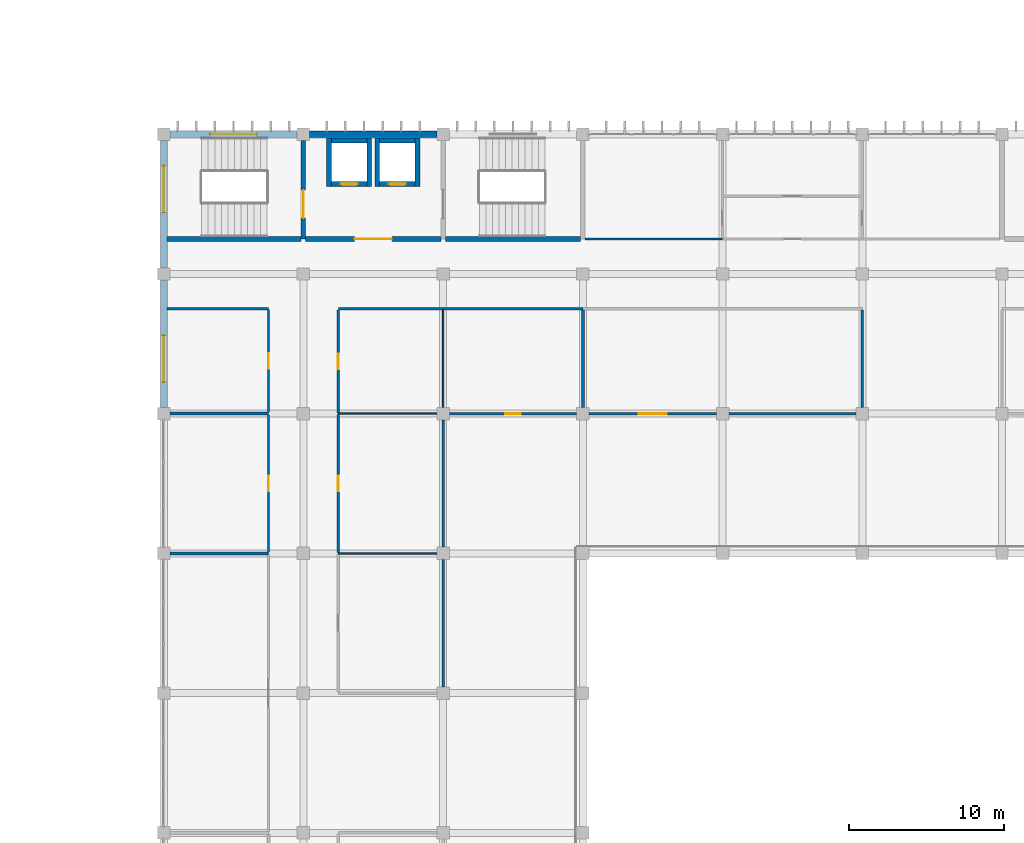
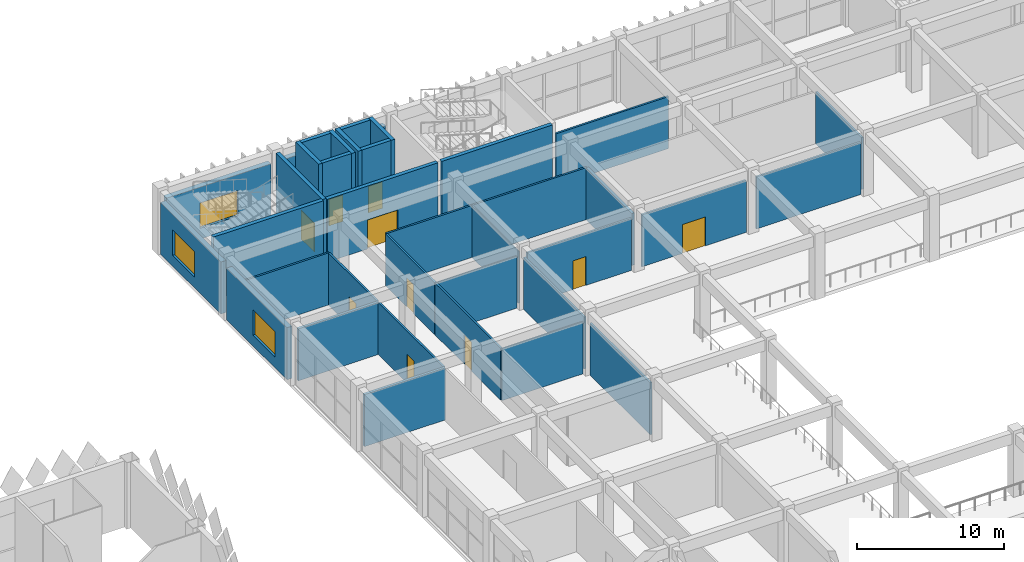
# One storey, part 126 of 185: 36 walls, 10 doors, 3 windows, 13 openings.
"""IFC4 building model written with IfcOpenShell, lengths in metres."""

from ifc_helpers import new_model, si_unit, direction, frame, frame_2d, origin, place, context, subcontext, project, spatial, rectangle, extrude, material, layer, layer_set, type_object, element, fill, save


model = new_model("IFC4")

# Units and contexts
model_context = context("Model", 3, precision=1e-05, world=origin(), true_north=direction((0.0, 1.0)))
body_context = subcontext(model_context, "Body", "Model", "MODEL_VIEW")
ifc_project = project(units=[si_unit("LENGTHUNIT", "METRE"), si_unit("AREAUNIT", "SQUARE_METRE"), si_unit("VOLUMEUNIT", "CUBIC_METRE"), si_unit("PLANEANGLEUNIT", "RADIAN"), si_unit("MASSUNIT", "GRAM", prefix="KILO")], contexts=[model_context])

# Site, building, storey
site_placement = place(None, origin())
site = spatial("IfcSite", under=ifc_project, at=site_placement, CompositionType="ELEMENT")
building_placement = place(site_placement, origin())
building = spatial("IfcBuilding", under=site, at=building_placement, Name="Opaline Strait Convention Centre", CompositionType="ELEMENT")
storey_placement = place(building_placement, frame((0.0, 0.0, 6.0)))
storey = spatial("IfcBuildingStorey", under=building, at=storey_placement, Name="L01", CompositionType="ELEMENT", Elevation=6.0)

# Walls
ifc_material_1 = material(Name="Gypsum board")
ifc_layer_1 = layer(ifc_material_1, 0.050048828125)
ifc_material_2 = material(Name="Steel stud and mineral wool", Category="steel")
ifc_layer_2 = layer(ifc_material_2, 0.10009765625)
ifc_layer_3 = layer(ifc_material_1, 0.050048828125)
ifc_layer_set_1 = layer_set([ifc_layer_1, ifc_layer_2, ifc_layer_3], Name="Gypsum board, Steel stud and mineral wool, Gypsum board")
wall_type_1 = type_object("IfcWallType", Name="Acoustic partition 200 EI45", PredefinedType="PARTITIONING", material=ifc_layer_set_1)
for number, where, z_axis, x_axis, name in (
    (1, (279.39990234375, 153.0, 0.0), (0.0, 0.0, 1.0), (1.0, 0.0, 0.0), "MPW5 partition Meeting Room 1.04 N"),
    (2, (279.39990234375, 162.0, 0.0), (0.0, 0.0, 1.0), (1.0, 0.0, 0.0), "MPW5 partition Boardroom 1.05 N"),
):
    element("IfcWall", number, at=place(storey_placement, frame(where, z_axis=z_axis, x_axis=x_axis)), inside=storey, type_object=wall_type_1, Name=name, PredefinedType="PARTITIONING", context=body_context, shape_type="SweptSolid", body=[
        extrude(rectangle(XDim=6.35009765625, YDim=0.199951171875, at=frame_2d((3.175048828125, 0.0))), origin(), (0.0, 0.0, 1.0), 4.320068359375),
    ])
wall_1_placement = place(storey_placement, frame((306.0, 162.39990234375, 0.0), z_axis=(0.0, 0.0, 1.0), x_axis=(0.0, 1.0, 0.0)))
element("IfcWall", 3, at=wall_1_placement, inside=storey, type_object=wall_type_1, Name="MPW5 partition Breakout Room 1.19 E", PredefinedType="PARTITIONING", context=body_context, shape_type="SweptSolid", body=[
    extrude(rectangle(XDim=6.275146484375, YDim=0.199951171875, at=frame_2d((3.1376953125, 0.0))), origin(), (0.0, 0.0, 1.0), 4.320068359375),
])

# Wall, opening, door
ifc_layer_4 = layer(ifc_material_1, 0.032470703125)
ifc_layer_5 = layer(ifc_material_2, 0.0849609375)
ifc_layer_6 = layer(ifc_material_1, 0.032470703125)
ifc_layer_set_2 = layer_set([ifc_layer_4, ifc_layer_5, ifc_layer_6], Name="Gypsum board, Steel stud and mineral wool, Gypsum board")
wall_type_2 = type_object("IfcWallType", Name="Corridor partition 150 EI60", PredefinedType="PARTITIONING", material=ifc_layer_set_2)
wall_2_placement = place(storey_placement, frame((285.75, 153.10009765625, 0.0), z_axis=(0.0, 0.0, 1.0), x_axis=(0.0, 1.0, 0.0)))
wall_2 = element("IfcWall", 4, at=wall_2_placement, inside=storey, type_object=wall_type_2, Name="MPW1 partition Boardroom 1.05 E", PredefinedType="PARTITIONING", context=body_context, shape_type="SweptSolid", body=[
    extrude(rectangle(XDim=8.7998046875, YDim=0.14990234375, at=frame_2d((4.39990234375, 0.0))), origin(), (0.0, 0.0, 1.0), 4.320068359375),
])
opening_1_placement = place(wall_2_placement, frame((3.89990234375, 0.0, 0.0)))
opening_1 = element("IfcOpeningElement", 5, at=opening_1_placement, cuts=wall_2, Name="Opening M1-025", PredefinedType="OPENING", context=body_context, shape_type="SweptSolid", body=[
    extrude(rectangle(XDim=1.0, YDim=2.39990234375, at=frame_2d((0.5, 1.199951171875))), frame((0.0, 0.0849609375, 0.0), z_axis=(0.0, -1.0, 0.0), x_axis=(1.0, 0.0, 0.0)), (0.0, 0.0, 1.0), 0.169921875),
])
ifc_material_3 = material(Name="Solid-core timber leaf, steel frame door set", Category="steel")
door_type_1 = type_object("IfcDoorType", Name="Meeting room door FD30 1000 x 2400", OperationType="SINGLE_SWING_LEFT", PredefinedType="DOOR", material=ifc_material_3)
door_1_placement = place(opening_1_placement, frame((1.0, 0.0, 0.0), z_axis=(0.0, 0.0, 1.0), x_axis=(-1.0, 0.0, 0.0)))
door_1 = element("IfcDoor", 6, at=door_1_placement, inside=storey, type_object=door_type_1, Name="Door Boardroom 1.05", ObjectType="MD8", OperationType="SINGLE_SWING_RIGHT", OverallHeight=2.39990234375, OverallWidth=1.0, PredefinedType="DOOR", context=body_context, shape_type="SweptSolid", body=[
    extrude(rectangle(XDim=1.0, YDim=2.39990234375, at=frame_2d((0.5, 1.199951171875))), frame((0.0, 0.02490234375, 0.0), z_axis=(0.0, -1.0, 0.0), x_axis=(1.0, 0.0, 0.0)), (0.0, 0.0, 1.0), 0.050048828125),
])
fill(opening_1, door_1)

# Wall
wall_3_placement = place(storey_placement, frame((279.199951171875, 168.75, 0.0), z_axis=(0.0, 0.0, 1.0), x_axis=(1.0, 0.0, 0.0)))
element("IfcWall", 7, at=wall_3_placement, inside=storey, type_object=wall_type_2, Name="MPW1 partition Meeting Room 1.06 N", PredefinedType="PARTITIONING", context=body_context, shape_type="SweptSolid", body=[
    extrude(rectangle(XDim=6.550048828125, YDim=0.14990234375, at=frame_2d((3.27490234375, 0.0))), origin(), (0.0, 0.0, 1.0), 4.320068359375),
])

# Wall, opening, door
wall_4_placement = place(storey_placement, frame((285.75, 162.10009765625, 0.0), z_axis=(0.0, 0.0, 1.0), x_axis=(0.0, 1.0, 0.0)))
wall_4 = element("IfcWall", 8, at=wall_4_placement, inside=storey, type_object=wall_type_2, Name="MPW1 partition Meeting Room 1.06 E", PredefinedType="PARTITIONING", context=body_context, shape_type="SweptSolid", body=[
    extrude(rectangle(XDim=6.574951171875, YDim=0.14990234375, at=frame_2d((3.28759765625, 0.0))), origin(), (0.0, 0.0, 1.0), 4.320068359375),
])
opening_2_placement = place(wall_4_placement, frame((2.787353515625, 0.0, 0.0)))
opening_2 = element("IfcOpeningElement", 9, at=opening_2_placement, cuts=wall_4, Name="Opening M1-026", PredefinedType="OPENING", context=body_context, shape_type="SweptSolid", body=[
    extrude(rectangle(XDim=1.0, YDim=2.39990234375, at=frame_2d((0.5, 1.199951171875))), frame((0.0, 0.0849609375, 0.0), z_axis=(0.0, -1.0, 0.0), x_axis=(1.0, 0.0, 0.0)), (0.0, 0.0, 1.0), 0.169921875),
])
door_2_placement = place(opening_2_placement, frame((1.0, 0.0, 0.0), z_axis=(0.0, 0.0, 1.0), x_axis=(-1.0, 0.0, 0.0)))
door_2 = element("IfcDoor", 10, at=door_2_placement, inside=storey, type_object=door_type_1, Name="Door Meeting Room 1.06", ObjectType="MD8", OperationType="SINGLE_SWING_LEFT", OverallHeight=2.39990234375, OverallWidth=1.0, PredefinedType="DOOR", context=body_context, shape_type="SweptSolid", body=[
    extrude(rectangle(XDim=1.0, YDim=2.39990234375, at=frame_2d((0.5, 1.199951171875))), frame((0.0, 0.02490234375, 0.0), z_axis=(0.0, -1.0, 0.0), x_axis=(1.0, 0.0, 0.0)), (0.0, 0.0, 1.0), 0.050048828125),
])
fill(opening_2, door_2)

# Wall
wall_5_placement = place(storey_placement, frame((297.0, 144.39990234375, 0.0), z_axis=(0.0, 0.0, 1.0), x_axis=(0.0, 1.0, 0.0)))
element("IfcWall", 11, at=wall_5_placement, inside=storey, type_object=wall_type_2, Name="MPW1 partition AV Store 1.09 E", PredefinedType="PARTITIONING", context=body_context, shape_type="SweptSolid", body=[
    extrude(rectangle(XDim=8.2001953125, YDim=0.14990234375, at=frame_2d((4.10009765625, 0.0))), origin(), (0.0, 0.0, 1.0), 4.320068359375),
])

# Wall, opening, door
wall_6_placement = place(storey_placement, frame((290.25, 153.050048828125, 0.0), z_axis=(0.0, 0.0, 1.0), x_axis=(0.0, 1.0, 0.0)))
wall_6 = element("IfcWall", 12, at=wall_6_placement, inside=storey, type_object=wall_type_2, Name="MPW1 partition Breakout Room 1.10 W", PredefinedType="PARTITIONING", context=body_context, shape_type="SweptSolid", body=[
    extrude(rectangle(XDim=8.89990234375, YDim=0.14990234375, at=frame_2d((4.449951171875, 0.0))), origin(), (0.0, 0.0, 1.0), 4.320068359375),
])
opening_3_placement = place(wall_6_placement, frame((3.949951171875, 0.0, 0.0)))
opening_3 = element("IfcOpeningElement", 13, at=opening_3_placement, cuts=wall_6, Name="Opening M1-030", PredefinedType="OPENING", context=body_context, shape_type="SweptSolid", body=[
    extrude(rectangle(XDim=1.0, YDim=2.39990234375, at=frame_2d((0.5, 1.199951171875))), frame((0.0, 0.0849609375, 0.0), z_axis=(0.0, -1.0, 0.0), x_axis=(1.0, 0.0, 0.0)), (0.0, 0.0, 1.0), 0.169921875),
])
door_3_placement = place(opening_3_placement, origin())
door_3 = element("IfcDoor", 14, at=door_3_placement, inside=storey, type_object=door_type_1, Name="Door Breakout Room 1.10", ObjectType="MD8", OperationType="SINGLE_SWING_RIGHT", OverallHeight=2.39990234375, OverallWidth=1.0, PredefinedType="DOOR", context=body_context, shape_type="SweptSolid", body=[
    extrude(rectangle(XDim=1.0, YDim=2.39990234375, at=frame_2d((0.5, 1.199951171875))), frame((0.0, 0.02490234375, 0.0), z_axis=(0.0, -1.0, 0.0), x_axis=(1.0, 0.0, 0.0)), (0.0, 0.0, 1.0), 0.050048828125),
])
fill(opening_3, door_3)

# Walls
wall_7_placement = place(storey_placement, frame((297.0, 153.39990234375, 0.0), z_axis=(0.0, 0.0, 1.0), x_axis=(0.0, 1.0, 0.0)))
element("IfcWall", 15, at=wall_7_placement, inside=storey, type_object=wall_type_2, Name="MPW1 partition Breakout Room 1.10 E", PredefinedType="PARTITIONING", context=body_context, shape_type="SweptSolid", body=[
    extrude(rectangle(XDim=8.2001953125, YDim=0.14990234375, at=frame_2d((4.10009765625, 0.0))), origin(), (0.0, 0.0, 1.0), 4.320068359375),
])
wall_8_placement = place(storey_placement, frame((290.25, 168.75, 0.0), z_axis=(0.0, 0.0, 1.0), x_axis=(1.0, 0.0, 0.0)))
element("IfcWall", 16, at=wall_8_placement, inside=storey, type_object=wall_type_2, Name="MPW1 partition Chair Store 1.11 N", PredefinedType="PARTITIONING", context=body_context, shape_type="SweptSolid", body=[
    extrude(rectangle(XDim=6.75, YDim=0.14990234375, at=frame_2d((3.375, 0.0))), origin(), (0.0, 0.0, 1.0), 4.320068359375),
])

# Wall, opening, door
wall_9_placement = place(storey_placement, frame((290.25, 162.050048828125, 0.0), z_axis=(0.0, 0.0, 1.0), x_axis=(0.0, 1.0, 0.0)))
wall_9 = element("IfcWall", 17, at=wall_9_placement, inside=storey, type_object=wall_type_2, Name="MPW1 partition Chair Store 1.11 W", PredefinedType="PARTITIONING", context=body_context, shape_type="SweptSolid", body=[
    extrude(rectangle(XDim=6.625, YDim=0.14990234375, at=frame_2d((3.3125, 0.0))), origin(), (0.0, 0.0, 1.0), 4.320068359375),
])
opening_4_placement = place(wall_9_placement, frame((2.8125, 0.0, 0.0)))
opening_4 = element("IfcOpeningElement", 18, at=opening_4_placement, cuts=wall_9, Name="Opening M1-031", PredefinedType="OPENING", context=body_context, shape_type="SweptSolid", body=[
    extrude(rectangle(XDim=1.0, YDim=2.39990234375, at=frame_2d((0.5, 1.199951171875))), frame((0.0, 0.0849609375, 0.0), z_axis=(0.0, -1.0, 0.0), x_axis=(1.0, 0.0, 0.0)), (0.0, 0.0, 1.0), 0.169921875),
])
door_4_placement = place(opening_4_placement, origin())
door_4 = element("IfcDoor", 19, at=door_4_placement, inside=storey, type_object=door_type_1, Name="Door Chair Store 1.11", ObjectType="MD8", OperationType="SINGLE_SWING_LEFT", OverallHeight=2.39990234375, OverallWidth=1.0, PredefinedType="DOOR", context=body_context, shape_type="SweptSolid", body=[
    extrude(rectangle(XDim=1.0, YDim=2.39990234375, at=frame_2d((0.5, 1.199951171875))), frame((0.0, 0.02490234375, 0.0), z_axis=(0.0, -1.0, 0.0), x_axis=(1.0, 0.0, 0.0)), (0.0, 0.0, 1.0), 0.050048828125),
])
fill(opening_4, door_4)

wall_10_placement = place(storey_placement, frame((297.39990234375, 162.0, 0.0), z_axis=(0.0, 0.0, 1.0), x_axis=(1.0, 0.0, 0.0)))
wall_10 = element("IfcWall", 20, at=wall_10_placement, inside=storey, type_object=wall_type_2, Name="MPW1 partition Breakout Room 1.19 S", PredefinedType="PARTITIONING", context=body_context, shape_type="SweptSolid", body=[
    extrude(rectangle(XDim=8.2001953125, YDim=0.14990234375, at=frame_2d((4.10009765625, 0.0))), origin(), (0.0, 0.0, 1.0), 4.320068359375),
])
opening_5_placement = place(wall_10_placement, frame((3.60009765625, 0.0, 0.0)))
opening_5 = element("IfcOpeningElement", 21, at=opening_5_placement, cuts=wall_10, Name="Opening M1-039", PredefinedType="OPENING", context=body_context, shape_type="SweptSolid", body=[
    extrude(rectangle(XDim=1.0, YDim=2.39990234375, at=frame_2d((0.5, 1.199951171875))), frame((0.0, 0.0849609375, 0.0), z_axis=(0.0, -1.0, 0.0), x_axis=(1.0, 0.0, 0.0)), (0.0, 0.0, 1.0), 0.169921875),
])
door_5_placement = place(opening_5_placement, frame((1.0, 0.0, 0.0), z_axis=(0.0, 0.0, 1.0), x_axis=(-1.0, 0.0, 0.0)))
door_5 = element("IfcDoor", 22, at=door_5_placement, inside=storey, type_object=door_type_1, Name="Door Breakout Room 1.19", ObjectType="MD8", OperationType="SINGLE_SWING_LEFT", OverallHeight=2.39990234375, OverallWidth=1.0, PredefinedType="DOOR", context=body_context, shape_type="SweptSolid", body=[
    extrude(rectangle(XDim=1.0, YDim=2.39990234375, at=frame_2d((0.5, 1.199951171875))), frame((0.0, 0.02490234375, 0.0), z_axis=(0.0, -1.0, 0.0), x_axis=(1.0, 0.0, 0.0)), (0.0, 0.0, 1.0), 0.050048828125),
])
fill(opening_5, door_5)

# Wall
wall_11_placement = place(storey_placement, frame((297.0, 168.75, 0.0), z_axis=(0.0, 0.0, 1.0), x_axis=(1.0, 0.0, 0.0)))
element("IfcWall", 23, at=wall_11_placement, inside=storey, type_object=wall_type_2, Name="MPW1 partition Breakout Room 1.19 N", PredefinedType="PARTITIONING", context=body_context, shape_type="SweptSolid", body=[
    extrude(rectangle(XDim=9.0, YDim=0.14990234375, at=frame_2d((4.5, 0.0))), origin(), (0.0, 0.0, 1.0), 4.320068359375),
])

# Wall, opening, door
wall_12_placement = place(storey_placement, frame((306.39990234375, 162.0, 0.0), z_axis=(0.0, 0.0, 1.0), x_axis=(1.0, 0.0, 0.0)))
wall_12 = element("IfcWall", 24, at=wall_12_placement, inside=storey, type_object=wall_type_2, Name="MPW1 partition Meeting Room 1.20 S", PredefinedType="PARTITIONING", context=body_context, shape_type="SweptSolid", body=[
    extrude(rectangle(XDim=8.2001953125, YDim=0.14990234375, at=frame_2d((4.10009765625, 0.0))), origin(), (0.0, 0.0, 1.0), 4.320068359375),
])
opening_6_placement = place(wall_12_placement, frame((3.2001953125, 0.0, 0.0)))
opening_6 = element("IfcOpeningElement", 25, at=opening_6_placement, cuts=wall_12, Name="Opening M1-040", PredefinedType="OPENING", context=body_context, shape_type="SweptSolid", body=[
    extrude(rectangle(XDim=1.800048828125, YDim=2.39990234375, at=frame_2d((0.89990234375, 1.199951171875))), frame((0.0, 0.0849609375, 0.0), z_axis=(0.0, -1.0, 0.0), x_axis=(1.0, 0.0, 0.0)), (0.0, 0.0, 1.0), 0.169921875),
])
door_type_2 = type_object("IfcDoorType", Name="Meeting room double door FD30 1800 x 2400", OperationType="DOUBLE_DOOR_SINGLE_SWING", PredefinedType="DOOR", material=ifc_material_3)
door_6_placement = place(opening_6_placement, frame((1.800048828125, 0.0, 0.0), z_axis=(0.0, 0.0, 1.0), x_axis=(-1.0, 0.0, 0.0)))
door_6 = element("IfcDoor", 26, at=door_6_placement, inside=storey, type_object=door_type_2, Name="Door Meeting Room 1.20", ObjectType="MD7", OperationType="DOUBLE_DOOR_SINGLE_SWING", OverallHeight=2.39990234375, OverallWidth=1.800048828125, PredefinedType="DOOR", context=body_context, shape_type="SweptSolid", body=[
    extrude(rectangle(XDim=1.800048828125, YDim=2.39990234375, at=frame_2d((0.89990234375, 1.199951171875))), frame((0.0, 0.02490234375, 0.0), z_axis=(0.0, -1.0, 0.0), x_axis=(1.0, 0.0, 0.0)), (0.0, 0.0, 1.0), 0.050048828125),
])
fill(opening_6, door_6)

# Walls
wall_13_placement = place(storey_placement, frame((315.39990234375, 162.0, 0.0), z_axis=(0.0, 0.0, 1.0), x_axis=(1.0, 0.0, 0.0)))
element("IfcWall", 27, at=wall_13_placement, inside=storey, type_object=wall_type_2, Name="MPW1 partition Meeting Room 1.20 S", PredefinedType="PARTITIONING", context=body_context, shape_type="SweptSolid", body=[
    extrude(rectangle(XDim=8.2001953125, YDim=0.14990234375, at=frame_2d((4.10009765625, 0.0))), origin(), (0.0, 0.0, 1.0), 4.320068359375),
])
wall_14_placement = place(storey_placement, frame((324.0, 162.39990234375, 0.0), z_axis=(0.0, 0.0, 1.0), x_axis=(0.0, 1.0, 0.0)))
element("IfcWall", 28, at=wall_14_placement, inside=storey, type_object=wall_type_2, Name="MPW1 partition Meeting Room 1.20 E", PredefinedType="PARTITIONING", context=body_context, shape_type="SweptSolid", body=[
    extrude(rectangle(XDim=6.275146484375, YDim=0.14990234375, at=frame_2d((3.1376953125, 0.0))), origin(), (0.0, 0.0, 1.0), 4.320068359375),
])
wall_15_placement = place(storey_placement, frame((306.14990234375, 173.25, 0.0), z_axis=(0.0, 0.0, 1.0), x_axis=(1.0, 0.0, 0.0)))
element("IfcWall", 29, at=wall_15_placement, inside=storey, type_object=wall_type_2, Name="MPW1 partition Men's WC 1.N S", PredefinedType="PARTITIONING", context=body_context, shape_type="SweptSolid", body=[
    extrude(rectangle(XDim=8.85009765625, YDim=0.14990234375, at=frame_2d((4.425048828125, 0.0))), origin(), (0.0, 0.0, 1.0), 4.320068359375),
])

# Wall, opening, window
ifc_material_4 = material(Name="Concrete C40 precast", Category="concrete")
ifc_layer_7 = layer(ifc_material_4, 0.10009765625)
ifc_material_5 = material(Name="Mineral wool insulation")
ifc_layer_8 = layer(ifc_material_5, 0.14990234375)
ifc_layer_9 = layer(ifc_material_4, 0.14990234375)
ifc_layer_set_3 = layer_set([ifc_layer_7, ifc_layer_8, ifc_layer_9], Name="Concrete C40 precast, Mineral wool insulation, Concrete C40 precast")
wall_type_3 = type_object("IfcWallType", Name="External wall 400 insulated precast EI60", PredefinedType="STANDARD", material=ifc_layer_set_3)
wall_16_placement = place(storey_placement, frame((279.39990234375, 180.0, 0.0), z_axis=(0.0, 0.0, 1.0), x_axis=(1.0, 0.0, 0.0)))
wall_16 = element("IfcWall", 30, at=wall_16_placement, inside=storey, type_object=wall_type_3, Name="External wall N L01 32/W", PredefinedType="STANDARD", context=body_context, shape_type="SweptSolid", body=[
    extrude(rectangle(XDim=8.2001953125, YDim=0.39990234375, at=frame_2d((4.10009765625, 0.0))), origin(), (0.0, 0.0, 1.0), 4.320068359375),
])
opening_7_placement = place(wall_16_placement, frame((2.60009765625, 0.0, 0.89990234375)))
opening_7 = element("IfcOpeningElement", 31, at=opening_7_placement, cuts=wall_16, Name="Opening MW2", PredefinedType="OPENING", context=body_context, shape_type="SweptSolid", body=[
    extrude(rectangle(XDim=3.0, YDim=2.10009765625, at=frame_2d((1.5, 1.050048828125))), frame((0.0, 0.2099609375, 0.0), z_axis=(0.0, -1.0, 0.0), x_axis=(1.0, 0.0, 0.0)), (0.0, 0.0, 1.0), 0.419921875),
])
ifc_material_6 = material(Name="Aluminium framed double glazing", Category="aluminium")
window_type = type_object("IfcWindowType", Name="Window 3000 x 2100", PartitioningType="TRIPLE_PANEL_VERTICAL", PredefinedType="WINDOW", material=ifc_material_6)
window_1_placement = place(opening_7_placement, origin())
window_1 = element("IfcWindow", 32, at=window_1_placement, inside=storey, type_object=window_type, Name="Window Escape Stair S5 N", OverallHeight=2.10009765625, OverallWidth=3.0, PartitioningType="TRIPLE_PANEL_VERTICAL", PredefinedType="WINDOW", context=body_context, shape_type="SweptSolid", body=[
    extrude(rectangle(XDim=3.0, YDim=2.10009765625, at=frame_2d((1.5, 1.050048828125))), frame((0.0, 0.030029296875, 0.0), z_axis=(0.0, -1.0, 0.0), x_axis=(1.0, 0.0, 0.0)), (0.0, 0.0, 1.0), 0.06005859375),
])
fill(opening_7, window_1)

# Wall
wall_17_placement = place(storey_placement, frame((288.39990234375, 180.0, 0.0), z_axis=(0.0, 0.0, 1.0), x_axis=(1.0, 0.0, 0.0)))
element("IfcWall", 33, at=wall_17_placement, inside=storey, type_object=wall_type_3, Name="External wall N L01 33/W", PredefinedType="STANDARD", context=body_context, shape_type="SweptSolid", body=[
    extrude(rectangle(XDim=8.2001953125, YDim=0.39990234375, at=frame_2d((4.10009765625, 0.0))), origin(), (0.0, 0.0, 1.0), 4.320068359375),
])

# Wall, opening, window
wall_18_placement = place(storey_placement, frame((279.0, 162.39990234375, 0.0), z_axis=(0.0, 0.0, 1.0), x_axis=(0.0, 1.0, 0.0)))
wall_18 = element("IfcWall", 34, at=wall_18_placement, inside=storey, type_object=wall_type_3, Name="External wall W L01 32/U", PredefinedType="STANDARD", context=body_context, shape_type="SweptSolid", body=[
    extrude(rectangle(XDim=8.2001953125, YDim=0.39990234375, at=frame_2d((4.10009765625, 0.0))), origin(), (0.0, 0.0, 1.0), 4.320068359375),
])
opening_8_placement = place(wall_18_placement, frame((1.6376953125, 0.0, 0.89990234375)))
opening_8 = element("IfcOpeningElement", 35, at=opening_8_placement, cuts=wall_18, Name="Opening MW2", PredefinedType="OPENING", context=body_context, shape_type="SweptSolid", body=[
    extrude(rectangle(XDim=3.0, YDim=2.10009765625, at=frame_2d((1.5, 1.050048828125))), frame((0.0, 0.2099609375, 0.0), z_axis=(0.0, -1.0, 0.0), x_axis=(1.0, 0.0, 0.0)), (0.0, 0.0, 1.0), 0.419921875),
])
window_2_placement = place(opening_8_placement, origin())
window_2 = element("IfcWindow", 36, at=window_2_placement, inside=storey, type_object=window_type, Name="Window Meeting Room 1.06 W", OverallHeight=2.10009765625, OverallWidth=3.0, PartitioningType="TRIPLE_PANEL_VERTICAL", PredefinedType="WINDOW", context=body_context, shape_type="SweptSolid", body=[
    extrude(rectangle(XDim=3.0, YDim=2.10009765625, at=frame_2d((1.5, 1.050048828125))), frame((0.0, 0.030029296875, 0.0), z_axis=(0.0, -1.0, 0.0), x_axis=(1.0, 0.0, 0.0)), (0.0, 0.0, 1.0), 0.06005859375),
])
fill(opening_8, window_2)

wall_19_placement = place(storey_placement, frame((279.0, 171.39990234375, 0.0), z_axis=(0.0, 0.0, 1.0), x_axis=(0.0, 1.0, 0.0)))
wall_19 = element("IfcWall", 37, at=wall_19_placement, inside=storey, type_object=wall_type_3, Name="External wall W L01 32/V", PredefinedType="STANDARD", context=body_context, shape_type="SweptSolid", body=[
    extrude(rectangle(XDim=8.2001953125, YDim=0.39990234375, at=frame_2d((4.10009765625, 0.0))), origin(), (0.0, 0.0, 1.0), 4.320068359375),
])
opening_9_placement = place(wall_19_placement, frame((3.5625, 0.0, 0.89990234375)))
opening_9 = element("IfcOpeningElement", 38, at=opening_9_placement, cuts=wall_19, Name="Opening MW2", PredefinedType="OPENING", context=body_context, shape_type="SweptSolid", body=[
    extrude(rectangle(XDim=3.0, YDim=2.10009765625, at=frame_2d((1.5, 1.050048828125))), frame((0.0, 0.2099609375, 0.0), z_axis=(0.0, -1.0, 0.0), x_axis=(1.0, 0.0, 0.0)), (0.0, 0.0, 1.0), 0.419921875),
])
window_3_placement = place(opening_9_placement, origin())
window_3 = element("IfcWindow", 39, at=window_3_placement, inside=storey, type_object=window_type, Name="Window Escape Stair S5 W", OverallHeight=2.10009765625, OverallWidth=3.0, PartitioningType="TRIPLE_PANEL_VERTICAL", PredefinedType="WINDOW", context=body_context, shape_type="SweptSolid", body=[
    extrude(rectangle(XDim=3.0, YDim=2.10009765625, at=frame_2d((1.5, 1.050048828125))), frame((0.0, 0.030029296875, 0.0), z_axis=(0.0, -1.0, 0.0), x_axis=(1.0, 0.0, 0.0)), (0.0, 0.0, 1.0), 0.06005859375),
])
fill(opening_9, window_3)

# Wall, opening, door
ifc_material_7 = material(Name="Concrete C40", Category="concrete")
ifc_layer_10 = layer(ifc_material_7, 0.300048828125)
ifc_layer_set_4 = layer_set([ifc_layer_10], Name="Concrete C40")
wall_type_4 = type_object("IfcWallType", Name="RC core wall 300 C40", PredefinedType="SHEAR", material=ifc_layer_set_4)
wall_20_placement = place(storey_placement, frame((288.0, 173.25, 0.0), z_axis=(0.0, 0.0, 1.0), x_axis=(0.0, 1.0, 0.0)))
wall_20 = element("IfcWall", 40, at=wall_20_placement, inside=storey, type_object=wall_type_4, Name="Core wall NW-L01", PredefinedType="SHEAR", context=body_context, shape_type="SweptSolid", body=[
    extrude(rectangle(XDim=6.35009765625, YDim=0.300048828125, at=frame_2d((3.175048828125, 0.0))), origin(), (0.0, 0.0, 1.0), 5.219970703125),
])
opening_10_placement = place(wall_20_placement, frame((1.35009765625, 0.0, 0.0)))
opening_10 = element("IfcOpeningElement", 41, at=opening_10_placement, cuts=wall_20, Name="Opening M1-011", PredefinedType="OPENING", context=body_context, shape_type="SweptSolid", body=[
    extrude(rectangle(XDim=1.800048828125, YDim=2.39990234375, at=frame_2d((0.89990234375, 1.199951171875))), frame((0.0, 0.159912109375, 0.0), z_axis=(0.0, -1.0, 0.0), x_axis=(1.0, 0.0, 0.0)), (0.0, 0.0, 1.0), 0.320068359375),
])
ifc_material_8 = material(Name="Steel Q235B", Category="steel")
door_type_3 = type_object("IfcDoorType", Name="Stair door FD60 1800 x 2400", OperationType="DOUBLE_DOOR_SINGLE_SWING", PredefinedType="DOOR", material=ifc_material_8)
door_7_placement = place(opening_10_placement, frame((1.800048828125, 0.0, 0.0), z_axis=(0.0, 0.0, 1.0), x_axis=(-1.0, 0.0, 0.0)))
door_7 = element("IfcDoor", 42, at=door_7_placement, inside=storey, type_object=door_type_3, Name="Escape stair S5 door L01", ObjectType="MD4", OperationType="DOUBLE_DOOR_SINGLE_SWING", OverallHeight=2.39990234375, OverallWidth=1.800048828125, PredefinedType="DOOR", context=body_context, shape_type="SweptSolid", body=[
    extrude(rectangle(XDim=1.800048828125, YDim=2.39990234375, at=frame_2d((0.89990234375, 1.199951171875))), frame((0.0, 0.02490234375, 0.0), z_axis=(0.0, -1.0, 0.0), x_axis=(1.0, 0.0, 0.0)), (0.0, 0.0, 1.0), 0.050048828125),
])
fill(opening_10, door_7)

# Wall
wall_21_placement = place(storey_placement, frame((279.199951171875, 173.25, 0.0), z_axis=(0.0, 0.0, 1.0), x_axis=(1.0, 0.0, 0.0)))
element("IfcWall", 43, at=wall_21_placement, inside=storey, type_object=wall_type_4, Name="Core wall NW-L01", PredefinedType="SHEAR", context=body_context, shape_type="SweptSolid", body=[
    extrude(rectangle(XDim=8.650146484375, YDim=0.300048828125, at=frame_2d((4.3251953125, 0.0))), origin(), (0.0, 0.0, 1.0), 5.219970703125),
])

# Wall, opening, door
wall_22_placement = place(storey_placement, frame((288.14990234375, 173.25, 0.0), z_axis=(0.0, 0.0, 1.0), x_axis=(1.0, 0.0, 0.0)))
wall_22 = element("IfcWall", 44, at=wall_22_placement, inside=storey, type_object=wall_type_4, Name="Core wall NW-L01", PredefinedType="SHEAR", context=body_context, shape_type="SweptSolid", body=[
    extrude(rectangle(XDim=8.7001953125, YDim=0.300048828125, at=frame_2d((4.35009765625, 0.0))), origin(), (0.0, 0.0, 1.0), 5.219970703125),
])
opening_11_placement = place(wall_22_placement, frame((3.150146484375, 0.0, 0.0)))
opening_11 = element("IfcOpeningElement", 45, at=opening_11_placement, cuts=wall_22, Name="Opening M1-013", PredefinedType="OPENING", context=body_context, shape_type="SweptSolid", body=[
    extrude(rectangle(XDim=2.39990234375, YDim=2.39990234375, at=frame_2d((1.199951171875, 1.199951171875))), frame((0.0, 0.159912109375, 0.0), z_axis=(0.0, -1.0, 0.0), x_axis=(1.0, 0.0, 0.0)), (0.0, 0.0, 1.0), 0.320068359375),
])
door_type_4 = type_object("IfcDoorType", Name="Lift lobby double door FD60 2400 x 2400", OperationType="DOUBLE_DOOR_SINGLE_SWING", PredefinedType="DOOR", material=ifc_material_8)
door_8_placement = place(opening_11_placement, frame((2.39990234375, 0.0, 0.0), z_axis=(0.0, 0.0, 1.0), x_axis=(-1.0, 0.0, 0.0)))
door_8 = element("IfcDoor", 46, at=door_8_placement, inside=storey, type_object=door_type_4, Name="Lift lobby NW door L01", ObjectType="MD5", OperationType="DOUBLE_DOOR_SINGLE_SWING", OverallHeight=2.39990234375, OverallWidth=2.39990234375, PredefinedType="DOOR", context=body_context, shape_type="SweptSolid", body=[
    extrude(rectangle(XDim=2.39990234375, YDim=2.39990234375, at=frame_2d((1.199951171875, 1.199951171875))), frame((0.0, 0.02490234375, 0.0), z_axis=(0.0, -1.0, 0.0), x_axis=(1.0, 0.0, 0.0)), (0.0, 0.0, 1.0), 0.050048828125),
])
fill(opening_11, door_8)

# Walls
wall_23_placement = place(storey_placement, frame((297.14990234375, 173.25, 0.0), z_axis=(0.0, 0.0, 1.0), x_axis=(1.0, 0.0, 0.0)))
element("IfcWall", 47, at=wall_23_placement, inside=storey, type_object=wall_type_4, Name="Core wall NW-L01", PredefinedType="SHEAR", context=body_context, shape_type="SweptSolid", body=[
    extrude(rectangle(XDim=8.7001953125, YDim=0.300048828125, at=frame_2d((4.35009765625, 0.0))), origin(), (0.0, 0.0, 1.0), 5.219970703125),
])
ifc_layer_11 = layer(ifc_material_7, 0.300048828125)
ifc_layer_set_5 = layer_set([ifc_layer_11], Name="Concrete C40")
wall_type_5 = type_object("IfcWallType", Name="RC lift shaft wall 300 C40", PredefinedType="SHEAR", material=ifc_layer_set_5)
for number, where, z_axis, x_axis, name in (
    (48, (289.64990234375, 176.64990234375, 0.0), (0.0, 0.0, 1.0), (0.0, 1.0, 0.0), "Lift shaft NW1 wall L01"),
    (49, (292.25, 176.64990234375, 0.0), (0.0, 0.0, 1.0), (0.0, 1.0, 0.0), "Lift shaft NW1 wall L01"),
):
    element("IfcWall", number, at=place(storey_placement, frame(where, z_axis=z_axis, x_axis=x_axis)), inside=storey, type_object=wall_type_5, Name=name, PredefinedType="SHEAR", context=body_context, shape_type="SweptSolid", body=[
        extrude(rectangle(XDim=3.10009765625, YDim=0.300048828125, at=frame_2d((1.550048828125, 0.0))), origin(), (0.0, 0.0, 1.0), 5.5),
    ])
wall_24_placement = place(storey_placement, frame((289.800048828125, 179.60009765625, 0.0), z_axis=(0.0, 0.0, 1.0), x_axis=(1.0, 0.0, 0.0)))
element("IfcWall", 50, at=wall_24_placement, inside=storey, type_object=wall_type_5, Name="Lift shaft NW1 wall L01", PredefinedType="SHEAR", context=body_context, shape_type="SweptSolid", body=[
    extrude(rectangle(XDim=2.300048828125, YDim=0.300048828125, at=frame_2d((1.14990234375, 0.0))), origin(), (0.0, 0.0, 1.0), 5.5),
])

# Wall, opening, door
wall_25_placement = place(storey_placement, frame((289.800048828125, 176.800048828125, 0.0), z_axis=(0.0, 0.0, 1.0), x_axis=(1.0, 0.0, 0.0)))
wall_25 = element("IfcWall", 51, at=wall_25_placement, inside=storey, type_object=wall_type_5, Name="Lift shaft NW1 wall L01", PredefinedType="SHEAR", context=body_context, shape_type="SweptSolid", body=[
    extrude(rectangle(XDim=2.300048828125, YDim=0.300048828125, at=frame_2d((1.14990234375, 0.0))), origin(), (0.0, 0.0, 1.0), 5.5),
])
opening_12_placement = place(wall_25_placement, frame((0.599853515625, 0.0, 0.0)))
opening_12 = element("IfcOpeningElement", 52, at=opening_12_placement, cuts=wall_25, Name="Opening M1-014", PredefinedType="OPENING", context=body_context, shape_type="SweptSolid", body=[
    extrude(rectangle(XDim=1.10009765625, YDim=2.199951171875, at=frame_2d((0.550048828125, 1.10009765625))), frame((0.0, 0.159912109375, 0.0), z_axis=(0.0, -1.0, 0.0), x_axis=(1.0, 0.0, 0.0)), (0.0, 0.0, 1.0), 0.320068359375),
])
ifc_material_9 = material(Name="Stainless steel 304", Category="steel")
door_type_5 = type_object("IfcDoorType", Name="Lift landing door FD60 1100 x 2200", OperationType="SLIDING_TO_LEFT", PredefinedType="DOOR", material=ifc_material_9)
door_9_placement = place(opening_12_placement, origin())
door_9 = element("IfcDoor", 53, at=door_9_placement, inside=storey, type_object=door_type_5, Name="Lift landing door NW1 L01", ObjectType="MD6", OperationType="SLIDING_TO_RIGHT", OverallHeight=2.199951171875, OverallWidth=1.10009765625, PredefinedType="DOOR", context=body_context, shape_type="SweptSolid", body=[
    extrude(rectangle(XDim=1.10009765625, YDim=2.199951171875, at=frame_2d((0.550048828125, 1.10009765625))), frame((0.0, 0.02490234375, 0.0), z_axis=(0.0, -1.0, 0.0), x_axis=(1.0, 0.0, 0.0)), (0.0, 0.0, 1.0), 0.050048828125),
])
fill(opening_12, door_9)

# Walls
for number, where, z_axis, x_axis, name in (
    (54, (292.75, 176.64990234375, 0.0), (0.0, 0.0, 1.0), (0.0, 1.0, 0.0), "Lift shaft NW2 wall L01"),
    (55, (295.35009765625, 176.64990234375, 0.0), (0.0, 0.0, 1.0), (0.0, 1.0, 0.0), "Lift shaft NW2 wall L01"),
):
    element("IfcWall", number, at=place(storey_placement, frame(where, z_axis=z_axis, x_axis=x_axis)), inside=storey, type_object=wall_type_5, Name=name, PredefinedType="SHEAR", context=body_context, shape_type="SweptSolid", body=[
        extrude(rectangle(XDim=3.10009765625, YDim=0.300048828125, at=frame_2d((1.550048828125, 0.0))), origin(), (0.0, 0.0, 1.0), 5.5),
    ])
wall_26_placement = place(storey_placement, frame((292.89990234375, 179.60009765625, 0.0), z_axis=(0.0, 0.0, 1.0), x_axis=(1.0, 0.0, 0.0)))
element("IfcWall", 56, at=wall_26_placement, inside=storey, type_object=wall_type_5, Name="Lift shaft NW2 wall L01", PredefinedType="SHEAR", context=body_context, shape_type="SweptSolid", body=[
    extrude(rectangle(XDim=2.300048828125, YDim=0.300048828125, at=frame_2d((1.14990234375, 0.0))), origin(), (0.0, 0.0, 1.0), 5.5),
])

# Wall, opening, door
wall_27_placement = place(storey_placement, frame((292.89990234375, 176.800048828125, 0.0), z_axis=(0.0, 0.0, 1.0), x_axis=(1.0, 0.0, 0.0)))
wall_27 = element("IfcWall", 57, at=wall_27_placement, inside=storey, type_object=wall_type_5, Name="Lift shaft NW2 wall L01", PredefinedType="SHEAR", context=body_context, shape_type="SweptSolid", body=[
    extrude(rectangle(XDim=2.300048828125, YDim=0.300048828125, at=frame_2d((1.14990234375, 0.0))), origin(), (0.0, 0.0, 1.0), 5.5),
])
opening_13_placement = place(wall_27_placement, frame((0.60009765625, 0.0, 0.0)))
opening_13 = element("IfcOpeningElement", 58, at=opening_13_placement, cuts=wall_27, Name="Opening M1-015", PredefinedType="OPENING", context=body_context, shape_type="SweptSolid", body=[
    extrude(rectangle(XDim=1.10009765625, YDim=2.199951171875, at=frame_2d((0.550048828125, 1.10009765625))), frame((0.0, 0.159912109375, 0.0), z_axis=(0.0, -1.0, 0.0), x_axis=(1.0, 0.0, 0.0)), (0.0, 0.0, 1.0), 0.320068359375),
])
door_10_placement = place(opening_13_placement, origin())
door_10 = element("IfcDoor", 59, at=door_10_placement, inside=storey, type_object=door_type_5, Name="Lift landing door NW2 L01", ObjectType="MD6", OperationType="SLIDING_TO_LEFT", OverallHeight=2.199951171875, OverallWidth=1.10009765625, PredefinedType="DOOR", context=body_context, shape_type="SweptSolid", body=[
    extrude(rectangle(XDim=1.10009765625, YDim=2.199951171875, at=frame_2d((0.550048828125, 1.10009765625))), frame((0.0, 0.02490234375, 0.0), z_axis=(0.0, -1.0, 0.0), x_axis=(1.0, 0.0, 0.0)), (0.0, 0.0, 1.0), 0.050048828125),
])
fill(opening_13, door_10)

# Walls
ifc_layer_12 = layer(ifc_material_1, 0.012451171875)
ifc_layer_13 = layer(ifc_material_2, 0.074951171875)
ifc_layer_14 = layer(ifc_material_1, 0.012451171875)
ifc_layer_set_6 = layer_set([ifc_layer_12, ifc_layer_13, ifc_layer_14], Name="Gypsum board, Steel stud and mineral wool, Gypsum board")
wall_type_6 = type_object("IfcWallType", Name="Room partition 100 EI45", PredefinedType="PARTITIONING", material=ifc_layer_set_6)
for number, where, z_axis, x_axis, name in (
    (60, (290.25, 153.0, 0.0), (0.0, 0.0, 1.0), (1.0, 0.0, 0.0), "MPW2 partition AV Store 1.09 N"),
    (61, (290.25, 162.0, 0.0), (0.0, 0.0, 1.0), (1.0, 0.0, 0.0), "MPW2 partition Breakout Room 1.10 N"),
):
    element("IfcWall", number, at=place(storey_placement, frame(where, z_axis=z_axis, x_axis=x_axis)), inside=storey, type_object=wall_type_6, Name=name, PredefinedType="PARTITIONING", context=body_context, shape_type="SweptSolid", body=[
        extrude(rectangle(XDim=6.35009765625, YDim=0.10009765625, at=frame_2d((3.175048828125, 0.0))), origin(), (0.0, 0.0, 1.0), 4.320068359375),
    ])
wall_28_placement = place(storey_placement, frame((297.0, 162.39990234375, 0.0), z_axis=(0.0, 0.0, 1.0), x_axis=(0.0, 1.0, 0.0)))
element("IfcWall", 62, at=wall_28_placement, inside=storey, type_object=wall_type_6, Name="MPW2 partition Chair Store 1.11 E", PredefinedType="PARTITIONING", context=body_context, shape_type="SweptSolid", body=[
    extrude(rectangle(XDim=6.275146484375, YDim=0.10009765625, at=frame_2d((3.1376953125, 0.0))), origin(), (0.0, 0.0, 1.0), 4.320068359375),
])

save(model, "model.ifc")
